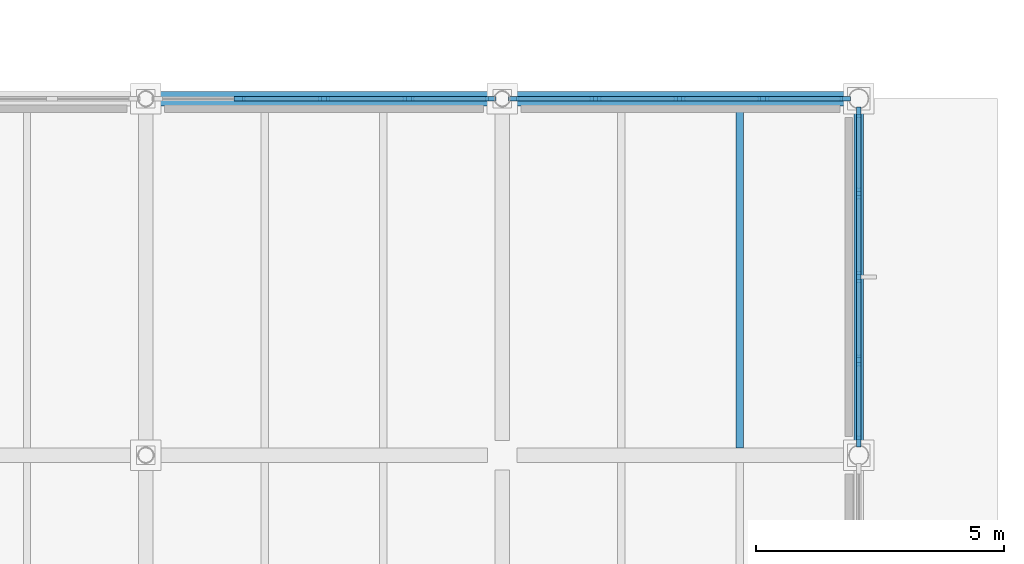
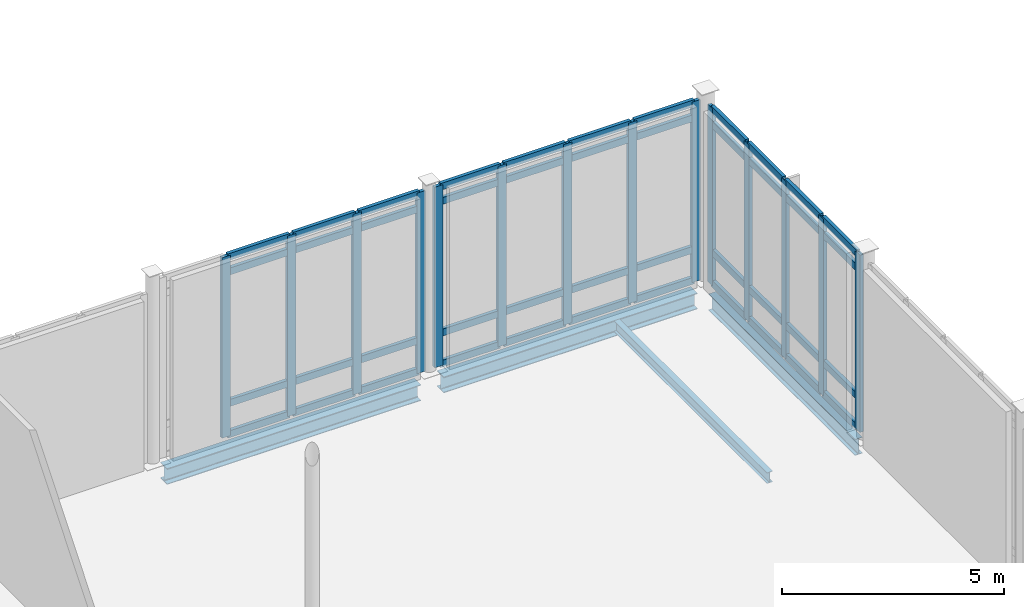
# One storey, part 37 of 89: 58 members, 4 beams, 3 elements without a shape of their own.
"""IFC4 building model written with IfcOpenShell, lengths in metres."""

from ifc_helpers import new_model, si_unit, direction, frame, origin, origin_2d, place, context, subcontext, project, spatial, rectangle, i_section, extrude, material, layer, layer_set, material_profile, profile_set, type_object, element, aggregate, save


model = new_model("IFC4")

# Units and contexts
model_context = context("Model", 3, precision=1e-05, world=origin(), true_north=direction((0.0, 1.0)))
body_context = subcontext(model_context, "Body", "Model", "MODEL_VIEW")
ifc_project = project(units=[si_unit("LENGTHUNIT", "METRE"), si_unit("AREAUNIT", "SQUARE_METRE"), si_unit("VOLUMEUNIT", "CUBIC_METRE"), si_unit("PLANEANGLEUNIT", "RADIAN"), si_unit("MASSUNIT", "GRAM", prefix="KILO")], contexts=[model_context])

# Site, building, storey
site_placement = place(None, origin())
site = spatial("IfcSite", under=ifc_project, at=site_placement, CompositionType="ELEMENT")
building_placement = place(site_placement, origin())
building = spatial("IfcBuilding", under=site, at=building_placement, Name="Zarrinpeak Specialist Clinic", CompositionType="ELEMENT")
storey_placement = place(building_placement, origin())
storey = spatial("IfcBuildingStorey", under=building, at=storey_placement, Name="L00", CompositionType="ELEMENT", Elevation=0.0)

# Beams
ifc_material_1 = material(Name="Steel S355", Category="steel")
ifc_material_profile_1 = material_profile(ifc_material_1, i_section(OverallWidth=0.300048828125, OverallDepth=0.43994140625, WebThickness=0.011474609375, FlangeThickness=0.02099609375, FilletRadius=0.027099609375, at=origin_2d()), Name="HEA 450")
ifc_profile_set_1 = profile_set([ifc_material_profile_1], Name="Steel S355")
beam_type_1 = type_object("IfcBeamType", Name="BM-HEA450", PredefinedType="BEAM", material=ifc_profile_set_1)
for number, where, z_axis, x_axis, name in (
    (1, (108.298095703125, 72.0, -0.469970703125), (1.0, 0.0, 0.0), (0.0, 1.0, 0.0), "L00 Primary Floor Girder BM-L00-X0174"),
    (2, (115.498046875, 72.0, -0.469970703125), (1.0, 0.0, 0.0), (0.0, 1.0, 0.0), "L00 Primary Floor Girder BM-L00-X0175"),
):
    element("IfcBeam", number, at=place(storey_placement, frame(where, z_axis=z_axis, x_axis=x_axis)), inside=storey, type_object=beam_type_1, Name=name, PredefinedType="BEAM", context=body_context, shape_type="SweptSolid", body=[
        extrude(i_section(OverallWidth=0.300048828125, OverallDepth=0.43994140625, WebThickness=0.011474609375, FlangeThickness=0.02099609375, FilletRadius=0.027099609375, at=origin_2d()), origin(), (0.0, 0.0, 1.0), 6.60400390625),
    ])
ifc_material_profile_2 = material_profile(ifc_material_1, i_section(OverallWidth=0.14990234375, OverallDepth=0.300048828125, WebThickness=0.007080078125, FlangeThickness=0.0107421875, FilletRadius=0.014892578125, at=origin_2d()), Name="IPE 300")
ifc_profile_set_2 = profile_set([ifc_material_profile_2], Name="Steel S355")
beam_type_2 = type_object("IfcBeamType", Name="BM-JST300", PredefinedType="JOIST", material=ifc_profile_set_2)
beam_1_placement = place(storey_placement, frame((120.0, 64.947998046875, -0.39990234375), z_axis=(0.0, 1.0, 0.0), x_axis=(-1.0, 0.0, 0.0)))
element("IfcBeam", 3, at=beam_1_placement, inside=storey, type_object=beam_type_2, Name="L00 Composite Floor Joist JST-L00-0540", PredefinedType="JOIST", context=body_context, shape_type="SweptSolid", body=[
    extrude(i_section(OverallWidth=0.14990234375, OverallDepth=0.300048828125, WebThickness=0.007080078125, FlangeThickness=0.0107421875, FilletRadius=0.014892578125, at=origin_2d()), origin(), (0.0, 0.0, 1.0), 6.904052734375),
])
ifc_material_profile_3 = material_profile(ifc_material_1, i_section(OverallWidth=0.18994140625, OverallDepth=0.449951171875, WebThickness=0.009521484375, FlangeThickness=0.0146484375, FilletRadius=0.02099609375, at=origin_2d()), Name="IPE 450")
ifc_profile_set_3 = profile_set([ifc_material_profile_3], Name="Steel S355")
beam_type_3 = type_object("IfcBeamType", Name="BM-SP450", PredefinedType="SPANDREL", material=ifc_profile_set_3)
beam_2_placement = place(storey_placement, frame((122.39990234375, 65.097900390625, -0.47509765625), z_axis=(0.0, 1.0, 0.0), x_axis=(-1.0, 0.0, 0.0)))
element("IfcBeam", 4, at=beam_2_placement, inside=storey, type_object=beam_type_3, Name="L00 Perimeter Spandrel Beam BM-L00-Y0398", PredefinedType="SPANDREL", context=body_context, shape_type="SweptSolid", body=[
    extrude(i_section(OverallWidth=0.18994140625, OverallDepth=0.449951171875, WebThickness=0.009521484375, FlangeThickness=0.0146484375, FilletRadius=0.02099609375, at=origin_2d()), origin(), (0.0, 0.0, 1.0), 6.60400390625),
])

# Curtain wall, members
ifc_material_2 = material(Name="Anodised Aluminium Alloy 6063-T6", Category="aluminium")
ifc_layer = layer(ifc_material_2, 0.199951171875)
ifc_layer_set = layer_set([ifc_layer], Name="Anodised Aluminium Alloy 6063-T6")
curtain_wall_type = type_object("IfcCurtainWallType", Name="CW-HALL", PredefinedType="NOTDEFINED", material=ifc_layer_set)
curtain_wall_1_placement = place(storey_placement, origin())
curtain_wall_1 = element("IfcCurtainWall", 5, at=curtain_wall_1_placement, inside=storey, type_object=curtain_wall_type, Name="L00 V3 Unitised Curtain Wall CW-L00-V3-085", PredefinedType="NOTDEFINED")
ifc_material_profile_4 = material_profile(ifc_material_2, rectangle(XDim=0.090087890625, YDim=0.219970703125, at=origin_2d()), Name="ALU 90x220")
ifc_profile_set_4 = profile_set([ifc_material_profile_4], Name="Anodised Aluminium Alloy 6063-T6")
member_type_1 = type_object("IfcMemberType", Name="CWM-90", PredefinedType="MULLION", material=ifc_profile_set_4)
member_1_placement = place(storey_placement, frame((114.968017578125, 72.0, 0.0), z_axis=(0.0, 0.0, 1.0), x_axis=(0.0, -1.0, 0.0)))
member_1 = element("IfcMember", 6, at=member_1_placement, type_object=member_type_1, Name="CW-02 mullion 1", PredefinedType="MULLION", context=body_context, shape_type="SweptSolid", body=[
    extrude(rectangle(XDim=0.090087890625, YDim=0.219970703125, at=origin_2d()), origin(), (0.0, 0.0, 1.0), 4.969970703125),
])
member_2_placement = place(storey_placement, frame((113.306640625, 72.0, 0.0), z_axis=(0.0, 0.0, 1.0), x_axis=(0.0, -1.0, 0.0)))
member_2 = element("IfcMember", 7, at=member_2_placement, type_object=member_type_1, Name="CW-02 mullion 2", PredefinedType="MULLION", context=body_context, shape_type="SweptSolid", body=[
    extrude(rectangle(XDim=0.090087890625, YDim=0.219970703125, at=origin_2d()), origin(), (0.0, 0.0, 1.0), 4.969970703125),
])
member_3_placement = place(storey_placement, frame((111.60009765625, 72.0, 0.0), z_axis=(0.0, 0.0, 1.0), x_axis=(0.0, -1.0, 0.0)))
member_3 = element("IfcMember", 8, at=member_3_placement, type_object=member_type_1, Name="CW-02 mullion 3", PredefinedType="MULLION", context=body_context, shape_type="SweptSolid", body=[
    extrude(rectangle(XDim=0.090087890625, YDim=0.219970703125, at=origin_2d()), origin(), (0.0, 0.0, 1.0), 4.969970703125),
])
member_4_placement = place(storey_placement, frame((109.8935546875, 72.0, 0.0), z_axis=(0.0, 0.0, 1.0), x_axis=(0.0, -1.0, 0.0)))
member_4 = element("IfcMember", 9, at=member_4_placement, type_object=member_type_1, Name="CW-02 mullion 4", PredefinedType="MULLION", context=body_context, shape_type="SweptSolid", body=[
    extrude(rectangle(XDim=0.090087890625, YDim=0.219970703125, at=origin_2d()), origin(), (0.0, 0.0, 1.0), 4.969970703125),
])

curtain_wall_2_placement = place(storey_placement, origin())
curtain_wall_2 = element("IfcCurtainWall", 10, at=curtain_wall_2_placement, inside=storey, type_object=curtain_wall_type, Name="L00 V3 Unitised Curtain Wall CW-L00-V3-086", PredefinedType="NOTDEFINED")
member_5_placement = place(storey_placement, frame((122.126708984375, 72.0, 0.0), z_axis=(0.0, 0.0, 1.0), x_axis=(0.0, -1.0, 0.0)))
member_5 = element("IfcMember", 11, at=member_5_placement, type_object=member_type_1, Name="CW-02 mullion 1", PredefinedType="MULLION", context=body_context, shape_type="SweptSolid", body=[
    extrude(rectangle(XDim=0.090087890625, YDim=0.219970703125, at=origin_2d()), origin(), (0.0, 0.0, 1.0), 4.969970703125),
])
member_6_placement = place(storey_placement, frame((120.4755859375, 72.0, 0.0), z_axis=(0.0, 0.0, 1.0), x_axis=(0.0, -1.0, 0.0)))
member_6 = element("IfcMember", 12, at=member_6_placement, type_object=member_type_1, Name="CW-02 mullion 2", PredefinedType="MULLION", context=body_context, shape_type="SweptSolid", body=[
    extrude(rectangle(XDim=0.090087890625, YDim=0.219970703125, at=origin_2d()), origin(), (0.0, 0.0, 1.0), 4.969970703125),
])
member_7_placement = place(storey_placement, frame((118.779296875, 72.0, 0.0), z_axis=(0.0, 0.0, 1.0), x_axis=(0.0, -1.0, 0.0)))
member_7 = element("IfcMember", 13, at=member_7_placement, type_object=member_type_1, Name="CW-02 mullion 3", PredefinedType="MULLION", context=body_context, shape_type="SweptSolid", body=[
    extrude(rectangle(XDim=0.090087890625, YDim=0.219970703125, at=origin_2d()), origin(), (0.0, 0.0, 1.0), 4.969970703125),
])
member_8_placement = place(storey_placement, frame((117.0830078125, 72.0, 0.0), z_axis=(0.0, 0.0, 1.0), x_axis=(0.0, -1.0, 0.0)))
member_8 = element("IfcMember", 14, at=member_8_placement, type_object=member_type_1, Name="CW-02 mullion 4", PredefinedType="MULLION", context=body_context, shape_type="SweptSolid", body=[
    extrude(rectangle(XDim=0.090087890625, YDim=0.219970703125, at=origin_2d()), origin(), (0.0, 0.0, 1.0), 4.969970703125),
])
member_9_placement = place(storey_placement, frame((115.431884765625, 72.0, 0.0), z_axis=(0.0, 0.0, 1.0), x_axis=(0.0, -1.0, 0.0)))
member_9 = element("IfcMember", 15, at=member_9_placement, type_object=member_type_1, Name="CW-02 mullion 5", PredefinedType="MULLION", context=body_context, shape_type="SweptSolid", body=[
    extrude(rectangle(XDim=0.090087890625, YDim=0.219970703125, at=origin_2d()), origin(), (0.0, 0.0, 1.0), 4.969970703125),
])

curtain_wall_3_placement = place(storey_placement, origin())
curtain_wall_3 = element("IfcCurtainWall", 16, at=curtain_wall_3_placement, inside=storey, type_object=curtain_wall_type, Name="L00 V3 Unitised Curtain Wall CW-L00-V3-096", PredefinedType="NOTDEFINED")
member_10_placement = place(storey_placement, frame((122.39990234375, 65.0732421875, 0.0), z_axis=(0.0, 0.0, 1.0), x_axis=(-1.0, 0.0, 0.0)))
member_10 = element("IfcMember", 17, at=member_10_placement, type_object=member_type_1, Name="CW-02 mullion 1", PredefinedType="MULLION", context=body_context, shape_type="SweptSolid", body=[
    extrude(rectangle(XDim=0.090087890625, YDim=0.219970703125, at=origin_2d()), origin(), (0.0, 0.0, 1.0), 4.875),
])
member_11_placement = place(storey_placement, frame((122.39990234375, 66.714111328125, 0.0), z_axis=(0.0, 0.0, 1.0), x_axis=(-1.0, 0.0, 0.0)))
member_11 = element("IfcMember", 18, at=member_11_placement, type_object=member_type_1, Name="CW-02 mullion 2", PredefinedType="MULLION", context=body_context, shape_type="SweptSolid", body=[
    extrude(rectangle(XDim=0.090087890625, YDim=0.219970703125, at=origin_2d()), origin(), (0.0, 0.0, 1.0), 4.875),
])
member_12_placement = place(storey_placement, frame((122.39990234375, 68.39990234375, 0.0), z_axis=(0.0, 0.0, 1.0), x_axis=(-1.0, 0.0, 0.0)))
member_12 = element("IfcMember", 19, at=member_12_placement, type_object=member_type_1, Name="CW-02 mullion 3", PredefinedType="MULLION", context=body_context, shape_type="SweptSolid", body=[
    extrude(rectangle(XDim=0.090087890625, YDim=0.219970703125, at=origin_2d()), origin(), (0.0, 0.0, 1.0), 4.875),
])
member_13_placement = place(storey_placement, frame((122.39990234375, 70.0859375, 0.0), z_axis=(0.0, 0.0, 1.0), x_axis=(-1.0, 0.0, 0.0)))
member_13 = element("IfcMember", 20, at=member_13_placement, type_object=member_type_1, Name="CW-02 mullion 4", PredefinedType="MULLION", context=body_context, shape_type="SweptSolid", body=[
    extrude(rectangle(XDim=0.090087890625, YDim=0.219970703125, at=origin_2d()), origin(), (0.0, 0.0, 1.0), 4.875),
])
member_14_placement = place(storey_placement, frame((122.39990234375, 71.726806640625, 0.0), z_axis=(0.0, 0.0, 1.0), x_axis=(-1.0, 0.0, 0.0)))
member_14 = element("IfcMember", 21, at=member_14_placement, type_object=member_type_1, Name="CW-02 mullion 5", PredefinedType="MULLION", context=body_context, shape_type="SweptSolid", body=[
    extrude(rectangle(XDim=0.090087890625, YDim=0.219970703125, at=origin_2d()), origin(), (0.0, 0.0, 1.0), 4.875),
])

# Member
ifc_material_profile_5 = material_profile(ifc_material_2, rectangle(XDim=0.090087890625, YDim=0.18994140625, at=origin_2d()), Name="ALU 90x190")
ifc_profile_set_5 = profile_set([ifc_material_profile_5], Name="Anodised Aluminium Alloy 6063-T6")
member_type_2 = type_object("IfcMemberType", Name="CWT-90", PredefinedType="USERDEFINED", material=ifc_profile_set_5)
member_15_placement = place(storey_placement, frame((114.923095703125, 72.0, 0.044921875), z_axis=(-1.0, 0.0, 0.0), x_axis=(0.0, -1.0, 0.0)))
member_15 = element("IfcMember", 22, at=member_15_placement, type_object=member_type_2, Name="CW-02 transom 1.1", ObjectType="TRANSOM", PredefinedType="USERDEFINED", context=body_context, shape_type="SweptSolid", body=[
    extrude(rectangle(XDim=0.090087890625, YDim=0.18994140625, at=origin_2d()), origin(), (0.0, 0.0, 1.0), 1.571533203125),
])

member_16_placement = place(storey_placement, frame((114.923095703125, 72.0, 0.89990234375), z_axis=(-1.0, 0.0, 0.0), x_axis=(0.0, -1.0, 0.0)))
member_16 = element("IfcMember", 23, at=member_16_placement, type_object=member_type_2, Name="CW-02 transom 1.2", ObjectType="TRANSOM", PredefinedType="USERDEFINED", context=body_context, shape_type="SweptSolid", body=[
    extrude(rectangle(XDim=0.090087890625, YDim=0.18994140625, at=origin_2d()), origin(), (0.0, 0.0, 1.0), 1.571533203125),
])

member_17_placement = place(storey_placement, frame((114.923095703125, 72.0, 4.52001953125), z_axis=(-1.0, 0.0, 0.0), x_axis=(0.0, -1.0, 0.0)))
member_17 = element("IfcMember", 24, at=member_17_placement, type_object=member_type_2, Name="CW-02 transom 1.3", ObjectType="TRANSOM", PredefinedType="USERDEFINED", context=body_context, shape_type="SweptSolid", body=[
    extrude(rectangle(XDim=0.090087890625, YDim=0.18994140625, at=origin_2d()), origin(), (0.0, 0.0, 1.0), 1.571533203125),
])

member_18_placement = place(storey_placement, frame((114.923095703125, 72.0, 4.925048828125), z_axis=(-1.0, 0.0, 0.0), x_axis=(0.0, -1.0, 0.0)))
member_18 = element("IfcMember", 25, at=member_18_placement, type_object=member_type_2, Name="CW-02 transom 1.4", ObjectType="TRANSOM", PredefinedType="USERDEFINED", context=body_context, shape_type="SweptSolid", body=[
    extrude(rectangle(XDim=0.090087890625, YDim=0.18994140625, at=origin_2d()), origin(), (0.0, 0.0, 1.0), 1.571533203125),
])

member_19_placement = place(storey_placement, frame((113.261474609375, 72.0, 0.044921875), z_axis=(-1.0, 0.0, 0.0), x_axis=(0.0, -1.0, 0.0)))
member_19 = element("IfcMember", 26, at=member_19_placement, type_object=member_type_2, Name="CW-02 transom 2.1", ObjectType="TRANSOM", PredefinedType="USERDEFINED", context=body_context, shape_type="SweptSolid", body=[
    extrude(rectangle(XDim=0.090087890625, YDim=0.18994140625, at=origin_2d()), origin(), (0.0, 0.0, 1.0), 1.616455078125),
])

member_20_placement = place(storey_placement, frame((113.261474609375, 72.0, 0.89990234375), z_axis=(-1.0, 0.0, 0.0), x_axis=(0.0, -1.0, 0.0)))
member_20 = element("IfcMember", 27, at=member_20_placement, type_object=member_type_2, Name="CW-02 transom 2.2", ObjectType="TRANSOM", PredefinedType="USERDEFINED", context=body_context, shape_type="SweptSolid", body=[
    extrude(rectangle(XDim=0.090087890625, YDim=0.18994140625, at=origin_2d()), origin(), (0.0, 0.0, 1.0), 1.616455078125),
])

member_21_placement = place(storey_placement, frame((113.261474609375, 72.0, 4.52001953125), z_axis=(-1.0, 0.0, 0.0), x_axis=(0.0, -1.0, 0.0)))
member_21 = element("IfcMember", 28, at=member_21_placement, type_object=member_type_2, Name="CW-02 transom 2.3", ObjectType="TRANSOM", PredefinedType="USERDEFINED", context=body_context, shape_type="SweptSolid", body=[
    extrude(rectangle(XDim=0.090087890625, YDim=0.18994140625, at=origin_2d()), origin(), (0.0, 0.0, 1.0), 1.616455078125),
])

member_22_placement = place(storey_placement, frame((113.261474609375, 72.0, 4.925048828125), z_axis=(-1.0, 0.0, 0.0), x_axis=(0.0, -1.0, 0.0)))
member_22 = element("IfcMember", 29, at=member_22_placement, type_object=member_type_2, Name="CW-02 transom 2.4", ObjectType="TRANSOM", PredefinedType="USERDEFINED", context=body_context, shape_type="SweptSolid", body=[
    extrude(rectangle(XDim=0.090087890625, YDim=0.18994140625, at=origin_2d()), origin(), (0.0, 0.0, 1.0), 1.616455078125),
])

member_23_placement = place(storey_placement, frame((111.554931640625, 72.0, 0.044921875), z_axis=(-1.0, 0.0, 0.0), x_axis=(0.0, -1.0, 0.0)))
member_23 = element("IfcMember", 30, at=member_23_placement, type_object=member_type_2, Name="CW-02 transom 3.1", ObjectType="TRANSOM", PredefinedType="USERDEFINED", context=body_context, shape_type="SweptSolid", body=[
    extrude(rectangle(XDim=0.090087890625, YDim=0.18994140625, at=origin_2d()), origin(), (0.0, 0.0, 1.0), 1.616455078125),
])

member_24_placement = place(storey_placement, frame((111.554931640625, 72.0, 0.89990234375), z_axis=(-1.0, 0.0, 0.0), x_axis=(0.0, -1.0, 0.0)))
member_24 = element("IfcMember", 31, at=member_24_placement, type_object=member_type_2, Name="CW-02 transom 3.2", ObjectType="TRANSOM", PredefinedType="USERDEFINED", context=body_context, shape_type="SweptSolid", body=[
    extrude(rectangle(XDim=0.090087890625, YDim=0.18994140625, at=origin_2d()), origin(), (0.0, 0.0, 1.0), 1.616455078125),
])

member_25_placement = place(storey_placement, frame((111.554931640625, 72.0, 4.52001953125), z_axis=(-1.0, 0.0, 0.0), x_axis=(0.0, -1.0, 0.0)))
member_25 = element("IfcMember", 32, at=member_25_placement, type_object=member_type_2, Name="CW-02 transom 3.3", ObjectType="TRANSOM", PredefinedType="USERDEFINED", context=body_context, shape_type="SweptSolid", body=[
    extrude(rectangle(XDim=0.090087890625, YDim=0.18994140625, at=origin_2d()), origin(), (0.0, 0.0, 1.0), 1.616455078125),
])

member_26_placement = place(storey_placement, frame((111.554931640625, 72.0, 4.925048828125), z_axis=(-1.0, 0.0, 0.0), x_axis=(0.0, -1.0, 0.0)))
member_26 = element("IfcMember", 33, at=member_26_placement, type_object=member_type_2, Name="CW-02 transom 3.4", ObjectType="TRANSOM", PredefinedType="USERDEFINED", context=body_context, shape_type="SweptSolid", body=[
    extrude(rectangle(XDim=0.090087890625, YDim=0.18994140625, at=origin_2d()), origin(), (0.0, 0.0, 1.0), 1.616455078125),
])

aggregate(curtain_wall_1, [member_1, member_2, member_3, member_4, member_15, member_16, member_17, member_18, member_19, member_20, member_21, member_22, member_23, member_24, member_25, member_26])

member_27_placement = place(storey_placement, frame((122.081787109375, 72.0, 0.044921875), z_axis=(-1.0, 0.0, 0.0), x_axis=(0.0, -1.0, 0.0)))
member_27 = element("IfcMember", 34, at=member_27_placement, type_object=member_type_2, Name="CW-02 transom 1.1", ObjectType="TRANSOM", PredefinedType="USERDEFINED", context=body_context, shape_type="SweptSolid", body=[
    extrude(rectangle(XDim=0.090087890625, YDim=0.18994140625, at=origin_2d()), origin(), (0.0, 0.0, 1.0), 1.561279296875),
])

member_28_placement = place(storey_placement, frame((122.081787109375, 72.0, 0.89990234375), z_axis=(-1.0, 0.0, 0.0), x_axis=(0.0, -1.0, 0.0)))
member_28 = element("IfcMember", 35, at=member_28_placement, type_object=member_type_2, Name="CW-02 transom 1.2", ObjectType="TRANSOM", PredefinedType="USERDEFINED", context=body_context, shape_type="SweptSolid", body=[
    extrude(rectangle(XDim=0.090087890625, YDim=0.18994140625, at=origin_2d()), origin(), (0.0, 0.0, 1.0), 1.561279296875),
])

member_29_placement = place(storey_placement, frame((122.081787109375, 72.0, 4.52001953125), z_axis=(-1.0, 0.0, 0.0), x_axis=(0.0, -1.0, 0.0)))
member_29 = element("IfcMember", 36, at=member_29_placement, type_object=member_type_2, Name="CW-02 transom 1.3", ObjectType="TRANSOM", PredefinedType="USERDEFINED", context=body_context, shape_type="SweptSolid", body=[
    extrude(rectangle(XDim=0.090087890625, YDim=0.18994140625, at=origin_2d()), origin(), (0.0, 0.0, 1.0), 1.561279296875),
])

member_30_placement = place(storey_placement, frame((122.081787109375, 72.0, 4.925048828125), z_axis=(-1.0, 0.0, 0.0), x_axis=(0.0, -1.0, 0.0)))
member_30 = element("IfcMember", 37, at=member_30_placement, type_object=member_type_2, Name="CW-02 transom 1.4", ObjectType="TRANSOM", PredefinedType="USERDEFINED", context=body_context, shape_type="SweptSolid", body=[
    extrude(rectangle(XDim=0.090087890625, YDim=0.18994140625, at=origin_2d()), origin(), (0.0, 0.0, 1.0), 1.561279296875),
])

member_31_placement = place(storey_placement, frame((120.4306640625, 72.0, 0.044921875), z_axis=(-1.0, 0.0, 0.0), x_axis=(0.0, -1.0, 0.0)))
member_31 = element("IfcMember", 38, at=member_31_placement, type_object=member_type_2, Name="CW-02 transom 2.1", ObjectType="TRANSOM", PredefinedType="USERDEFINED", context=body_context, shape_type="SweptSolid", body=[
    extrude(rectangle(XDim=0.090087890625, YDim=0.18994140625, at=origin_2d()), origin(), (0.0, 0.0, 1.0), 1.606201171875),
])

member_32_placement = place(storey_placement, frame((120.4306640625, 72.0, 0.89990234375), z_axis=(-1.0, 0.0, 0.0), x_axis=(0.0, -1.0, 0.0)))
member_32 = element("IfcMember", 39, at=member_32_placement, type_object=member_type_2, Name="CW-02 transom 2.2", ObjectType="TRANSOM", PredefinedType="USERDEFINED", context=body_context, shape_type="SweptSolid", body=[
    extrude(rectangle(XDim=0.090087890625, YDim=0.18994140625, at=origin_2d()), origin(), (0.0, 0.0, 1.0), 1.606201171875),
])

member_33_placement = place(storey_placement, frame((120.4306640625, 72.0, 4.52001953125), z_axis=(-1.0, 0.0, 0.0), x_axis=(0.0, -1.0, 0.0)))
member_33 = element("IfcMember", 40, at=member_33_placement, type_object=member_type_2, Name="CW-02 transom 2.3", ObjectType="TRANSOM", PredefinedType="USERDEFINED", context=body_context, shape_type="SweptSolid", body=[
    extrude(rectangle(XDim=0.090087890625, YDim=0.18994140625, at=origin_2d()), origin(), (0.0, 0.0, 1.0), 1.606201171875),
])

member_34_placement = place(storey_placement, frame((120.4306640625, 72.0, 4.925048828125), z_axis=(-1.0, 0.0, 0.0), x_axis=(0.0, -1.0, 0.0)))
member_34 = element("IfcMember", 41, at=member_34_placement, type_object=member_type_2, Name="CW-02 transom 2.4", ObjectType="TRANSOM", PredefinedType="USERDEFINED", context=body_context, shape_type="SweptSolid", body=[
    extrude(rectangle(XDim=0.090087890625, YDim=0.18994140625, at=origin_2d()), origin(), (0.0, 0.0, 1.0), 1.606201171875),
])

member_35_placement = place(storey_placement, frame((118.734375, 72.0, 0.044921875), z_axis=(-1.0, 0.0, 0.0), x_axis=(0.0, -1.0, 0.0)))
member_35 = element("IfcMember", 42, at=member_35_placement, type_object=member_type_2, Name="CW-02 transom 3.1", ObjectType="TRANSOM", PredefinedType="USERDEFINED", context=body_context, shape_type="SweptSolid", body=[
    extrude(rectangle(XDim=0.090087890625, YDim=0.18994140625, at=origin_2d()), origin(), (0.0, 0.0, 1.0), 1.606201171875),
])

member_36_placement = place(storey_placement, frame((118.734375, 72.0, 0.89990234375), z_axis=(-1.0, 0.0, 0.0), x_axis=(0.0, -1.0, 0.0)))
member_36 = element("IfcMember", 43, at=member_36_placement, type_object=member_type_2, Name="CW-02 transom 3.2", ObjectType="TRANSOM", PredefinedType="USERDEFINED", context=body_context, shape_type="SweptSolid", body=[
    extrude(rectangle(XDim=0.090087890625, YDim=0.18994140625, at=origin_2d()), origin(), (0.0, 0.0, 1.0), 1.606201171875),
])

member_37_placement = place(storey_placement, frame((118.734375, 72.0, 4.52001953125), z_axis=(-1.0, 0.0, 0.0), x_axis=(0.0, -1.0, 0.0)))
member_37 = element("IfcMember", 44, at=member_37_placement, type_object=member_type_2, Name="CW-02 transom 3.3", ObjectType="TRANSOM", PredefinedType="USERDEFINED", context=body_context, shape_type="SweptSolid", body=[
    extrude(rectangle(XDim=0.090087890625, YDim=0.18994140625, at=origin_2d()), origin(), (0.0, 0.0, 1.0), 1.606201171875),
])

member_38_placement = place(storey_placement, frame((118.734375, 72.0, 4.925048828125), z_axis=(-1.0, 0.0, 0.0), x_axis=(0.0, -1.0, 0.0)))
member_38 = element("IfcMember", 45, at=member_38_placement, type_object=member_type_2, Name="CW-02 transom 3.4", ObjectType="TRANSOM", PredefinedType="USERDEFINED", context=body_context, shape_type="SweptSolid", body=[
    extrude(rectangle(XDim=0.090087890625, YDim=0.18994140625, at=origin_2d()), origin(), (0.0, 0.0, 1.0), 1.606201171875),
])

member_39_placement = place(storey_placement, frame((117.0380859375, 72.0, 0.044921875), z_axis=(-1.0, 0.0, 0.0), x_axis=(0.0, -1.0, 0.0)))
member_39 = element("IfcMember", 46, at=member_39_placement, type_object=member_type_2, Name="CW-02 transom 4.1", ObjectType="TRANSOM", PredefinedType="USERDEFINED", context=body_context, shape_type="SweptSolid", body=[
    extrude(rectangle(XDim=0.090087890625, YDim=0.18994140625, at=origin_2d()), origin(), (0.0, 0.0, 1.0), 1.561279296875),
])

member_40_placement = place(storey_placement, frame((117.0380859375, 72.0, 0.89990234375), z_axis=(-1.0, 0.0, 0.0), x_axis=(0.0, -1.0, 0.0)))
member_40 = element("IfcMember", 47, at=member_40_placement, type_object=member_type_2, Name="CW-02 transom 4.2", ObjectType="TRANSOM", PredefinedType="USERDEFINED", context=body_context, shape_type="SweptSolid", body=[
    extrude(rectangle(XDim=0.090087890625, YDim=0.18994140625, at=origin_2d()), origin(), (0.0, 0.0, 1.0), 1.561279296875),
])

member_41_placement = place(storey_placement, frame((117.0380859375, 72.0, 4.52001953125), z_axis=(-1.0, 0.0, 0.0), x_axis=(0.0, -1.0, 0.0)))
member_41 = element("IfcMember", 48, at=member_41_placement, type_object=member_type_2, Name="CW-02 transom 4.3", ObjectType="TRANSOM", PredefinedType="USERDEFINED", context=body_context, shape_type="SweptSolid", body=[
    extrude(rectangle(XDim=0.090087890625, YDim=0.18994140625, at=origin_2d()), origin(), (0.0, 0.0, 1.0), 1.561279296875),
])

member_42_placement = place(storey_placement, frame((117.0380859375, 72.0, 4.925048828125), z_axis=(-1.0, 0.0, 0.0), x_axis=(0.0, -1.0, 0.0)))
member_42 = element("IfcMember", 49, at=member_42_placement, type_object=member_type_2, Name="CW-02 transom 4.4", ObjectType="TRANSOM", PredefinedType="USERDEFINED", context=body_context, shape_type="SweptSolid", body=[
    extrude(rectangle(XDim=0.090087890625, YDim=0.18994140625, at=origin_2d()), origin(), (0.0, 0.0, 1.0), 1.561279296875),
])

aggregate(curtain_wall_2, [member_5, member_6, member_7, member_8, member_9, member_27, member_28, member_29, member_30, member_31, member_32, member_33, member_34, member_35, member_36, member_37, member_38, member_39, member_40, member_41, member_42])

member_43_placement = place(storey_placement, frame((122.39990234375, 65.1181640625, 0.044921875), z_axis=(0.0, 1.0, 0.0), x_axis=(-1.0, 0.0, 0.0)))
member_43 = element("IfcMember", 50, at=member_43_placement, type_object=member_type_2, Name="CW-02 transom 1.1", ObjectType="TRANSOM", PredefinedType="USERDEFINED", context=body_context, shape_type="SweptSolid", body=[
    extrude(rectangle(XDim=0.090087890625, YDim=0.18994140625, at=origin_2d()), origin(), (0.0, 0.0, 1.0), 1.551025390625),
])

member_44_placement = place(storey_placement, frame((122.39990234375, 65.1181640625, 0.89990234375), z_axis=(0.0, 1.0, 0.0), x_axis=(-1.0, 0.0, 0.0)))
member_44 = element("IfcMember", 51, at=member_44_placement, type_object=member_type_2, Name="CW-02 transom 1.2", ObjectType="TRANSOM", PredefinedType="USERDEFINED", context=body_context, shape_type="SweptSolid", body=[
    extrude(rectangle(XDim=0.090087890625, YDim=0.18994140625, at=origin_2d()), origin(), (0.0, 0.0, 1.0), 1.551025390625),
])

member_45_placement = place(storey_placement, frame((122.39990234375, 65.1181640625, 4.425048828125), z_axis=(0.0, 1.0, 0.0), x_axis=(-1.0, 0.0, 0.0)))
member_45 = element("IfcMember", 52, at=member_45_placement, type_object=member_type_2, Name="CW-02 transom 1.3", ObjectType="TRANSOM", PredefinedType="USERDEFINED", context=body_context, shape_type="SweptSolid", body=[
    extrude(rectangle(XDim=0.090087890625, YDim=0.18994140625, at=origin_2d()), origin(), (0.0, 0.0, 1.0), 1.551025390625),
])

member_46_placement = place(storey_placement, frame((122.39990234375, 65.1181640625, 4.830078125), z_axis=(0.0, 1.0, 0.0), x_axis=(-1.0, 0.0, 0.0)))
member_46 = element("IfcMember", 53, at=member_46_placement, type_object=member_type_2, Name="CW-02 transom 1.4", ObjectType="TRANSOM", PredefinedType="USERDEFINED", context=body_context, shape_type="SweptSolid", body=[
    extrude(rectangle(XDim=0.090087890625, YDim=0.18994140625, at=origin_2d()), origin(), (0.0, 0.0, 1.0), 1.551025390625),
])

member_47_placement = place(storey_placement, frame((122.39990234375, 66.759033203125, 0.044921875), z_axis=(0.0, 1.0, 0.0), x_axis=(-1.0, 0.0, 0.0)))
member_47 = element("IfcMember", 54, at=member_47_placement, type_object=member_type_2, Name="CW-02 transom 2.1", ObjectType="TRANSOM", PredefinedType="USERDEFINED", context=body_context, shape_type="SweptSolid", body=[
    extrude(rectangle(XDim=0.090087890625, YDim=0.18994140625, at=origin_2d()), origin(), (0.0, 0.0, 1.0), 1.595947265625),
])

member_48_placement = place(storey_placement, frame((122.39990234375, 66.759033203125, 0.89990234375), z_axis=(0.0, 1.0, 0.0), x_axis=(-1.0, 0.0, 0.0)))
member_48 = element("IfcMember", 55, at=member_48_placement, type_object=member_type_2, Name="CW-02 transom 2.2", ObjectType="TRANSOM", PredefinedType="USERDEFINED", context=body_context, shape_type="SweptSolid", body=[
    extrude(rectangle(XDim=0.090087890625, YDim=0.18994140625, at=origin_2d()), origin(), (0.0, 0.0, 1.0), 1.595947265625),
])

member_49_placement = place(storey_placement, frame((122.39990234375, 66.759033203125, 4.425048828125), z_axis=(0.0, 1.0, 0.0), x_axis=(-1.0, 0.0, 0.0)))
member_49 = element("IfcMember", 56, at=member_49_placement, type_object=member_type_2, Name="CW-02 transom 2.3", ObjectType="TRANSOM", PredefinedType="USERDEFINED", context=body_context, shape_type="SweptSolid", body=[
    extrude(rectangle(XDim=0.090087890625, YDim=0.18994140625, at=origin_2d()), origin(), (0.0, 0.0, 1.0), 1.595947265625),
])

member_50_placement = place(storey_placement, frame((122.39990234375, 66.759033203125, 4.830078125), z_axis=(0.0, 1.0, 0.0), x_axis=(-1.0, 0.0, 0.0)))
member_50 = element("IfcMember", 57, at=member_50_placement, type_object=member_type_2, Name="CW-02 transom 2.4", ObjectType="TRANSOM", PredefinedType="USERDEFINED", context=body_context, shape_type="SweptSolid", body=[
    extrude(rectangle(XDim=0.090087890625, YDim=0.18994140625, at=origin_2d()), origin(), (0.0, 0.0, 1.0), 1.595947265625),
])

member_51_placement = place(storey_placement, frame((122.39990234375, 68.445068359375, 0.044921875), z_axis=(0.0, 1.0, 0.0), x_axis=(-1.0, 0.0, 0.0)))
member_51 = element("IfcMember", 58, at=member_51_placement, type_object=member_type_2, Name="CW-02 transom 3.1", ObjectType="TRANSOM", PredefinedType="USERDEFINED", context=body_context, shape_type="SweptSolid", body=[
    extrude(rectangle(XDim=0.090087890625, YDim=0.18994140625, at=origin_2d()), origin(), (0.0, 0.0, 1.0), 1.595947265625),
])

member_52_placement = place(storey_placement, frame((122.39990234375, 68.445068359375, 0.89990234375), z_axis=(0.0, 1.0, 0.0), x_axis=(-1.0, 0.0, 0.0)))
member_52 = element("IfcMember", 59, at=member_52_placement, type_object=member_type_2, Name="CW-02 transom 3.2", ObjectType="TRANSOM", PredefinedType="USERDEFINED", context=body_context, shape_type="SweptSolid", body=[
    extrude(rectangle(XDim=0.090087890625, YDim=0.18994140625, at=origin_2d()), origin(), (0.0, 0.0, 1.0), 1.595947265625),
])

member_53_placement = place(storey_placement, frame((122.39990234375, 68.445068359375, 4.425048828125), z_axis=(0.0, 1.0, 0.0), x_axis=(-1.0, 0.0, 0.0)))
member_53 = element("IfcMember", 60, at=member_53_placement, type_object=member_type_2, Name="CW-02 transom 3.3", ObjectType="TRANSOM", PredefinedType="USERDEFINED", context=body_context, shape_type="SweptSolid", body=[
    extrude(rectangle(XDim=0.090087890625, YDim=0.18994140625, at=origin_2d()), origin(), (0.0, 0.0, 1.0), 1.595947265625),
])

member_54_placement = place(storey_placement, frame((122.39990234375, 68.445068359375, 4.830078125), z_axis=(0.0, 1.0, 0.0), x_axis=(-1.0, 0.0, 0.0)))
member_54 = element("IfcMember", 61, at=member_54_placement, type_object=member_type_2, Name="CW-02 transom 3.4", ObjectType="TRANSOM", PredefinedType="USERDEFINED", context=body_context, shape_type="SweptSolid", body=[
    extrude(rectangle(XDim=0.090087890625, YDim=0.18994140625, at=origin_2d()), origin(), (0.0, 0.0, 1.0), 1.595947265625),
])

member_55_placement = place(storey_placement, frame((122.39990234375, 70.130859375, 0.044921875), z_axis=(0.0, 1.0, 0.0), x_axis=(-1.0, 0.0, 0.0)))
member_55 = element("IfcMember", 62, at=member_55_placement, type_object=member_type_2, Name="CW-02 transom 4.1", ObjectType="TRANSOM", PredefinedType="USERDEFINED", context=body_context, shape_type="SweptSolid", body=[
    extrude(rectangle(XDim=0.090087890625, YDim=0.18994140625, at=origin_2d()), origin(), (0.0, 0.0, 1.0), 1.551025390625),
])

member_56_placement = place(storey_placement, frame((122.39990234375, 70.130859375, 0.89990234375), z_axis=(0.0, 1.0, 0.0), x_axis=(-1.0, 0.0, 0.0)))
member_56 = element("IfcMember", 63, at=member_56_placement, type_object=member_type_2, Name="CW-02 transom 4.2", ObjectType="TRANSOM", PredefinedType="USERDEFINED", context=body_context, shape_type="SweptSolid", body=[
    extrude(rectangle(XDim=0.090087890625, YDim=0.18994140625, at=origin_2d()), origin(), (0.0, 0.0, 1.0), 1.551025390625),
])

member_57_placement = place(storey_placement, frame((122.39990234375, 70.130859375, 4.425048828125), z_axis=(0.0, 1.0, 0.0), x_axis=(-1.0, 0.0, 0.0)))
member_57 = element("IfcMember", 64, at=member_57_placement, type_object=member_type_2, Name="CW-02 transom 4.3", ObjectType="TRANSOM", PredefinedType="USERDEFINED", context=body_context, shape_type="SweptSolid", body=[
    extrude(rectangle(XDim=0.090087890625, YDim=0.18994140625, at=origin_2d()), origin(), (0.0, 0.0, 1.0), 1.551025390625),
])

member_58_placement = place(storey_placement, frame((122.39990234375, 70.130859375, 4.830078125), z_axis=(0.0, 1.0, 0.0), x_axis=(-1.0, 0.0, 0.0)))
member_58 = element("IfcMember", 65, at=member_58_placement, type_object=member_type_2, Name="CW-02 transom 4.4", ObjectType="TRANSOM", PredefinedType="USERDEFINED", context=body_context, shape_type="SweptSolid", body=[
    extrude(rectangle(XDim=0.090087890625, YDim=0.18994140625, at=origin_2d()), origin(), (0.0, 0.0, 1.0), 1.551025390625),
])

aggregate(curtain_wall_3, [member_10, member_11, member_12, member_13, member_14, member_43, member_44, member_45, member_46, member_47, member_48, member_49, member_50, member_51, member_52, member_53, member_54, member_55, member_56, member_57, member_58])

save(model, "model.ifc")
